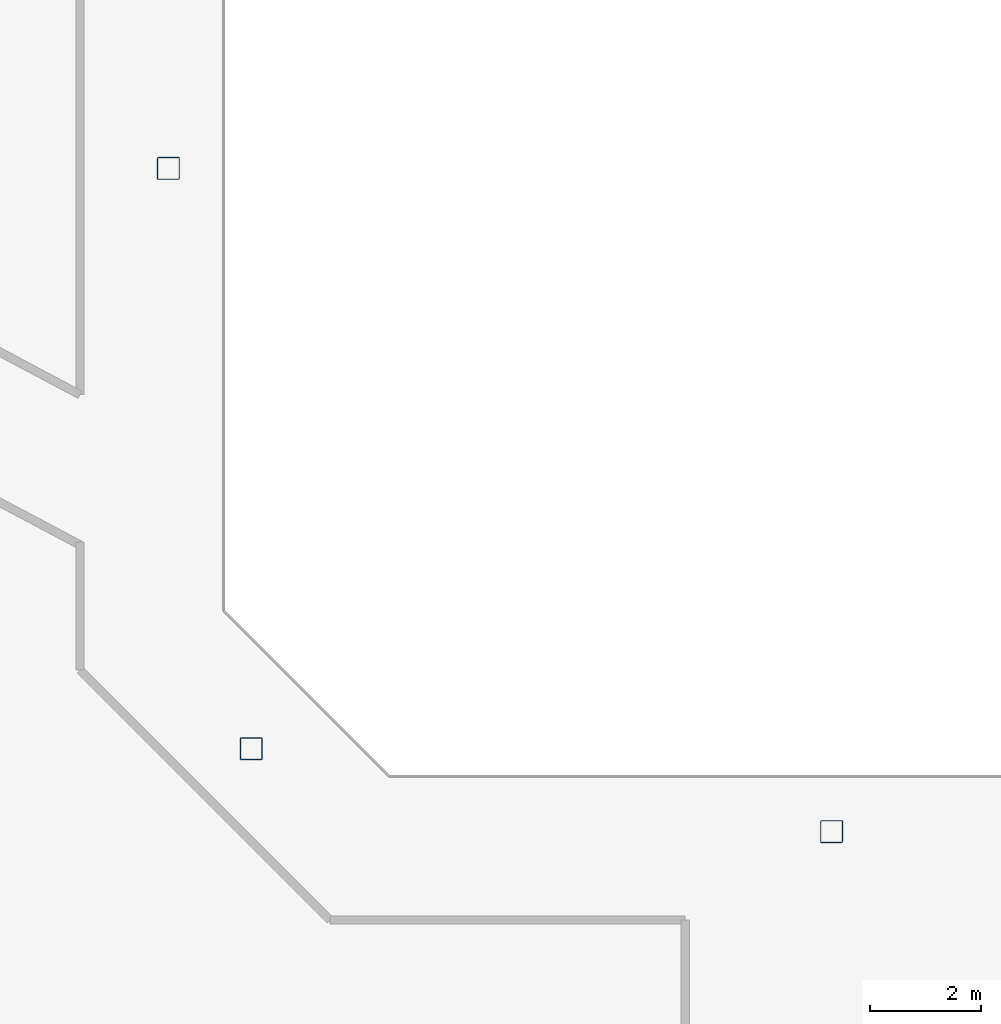
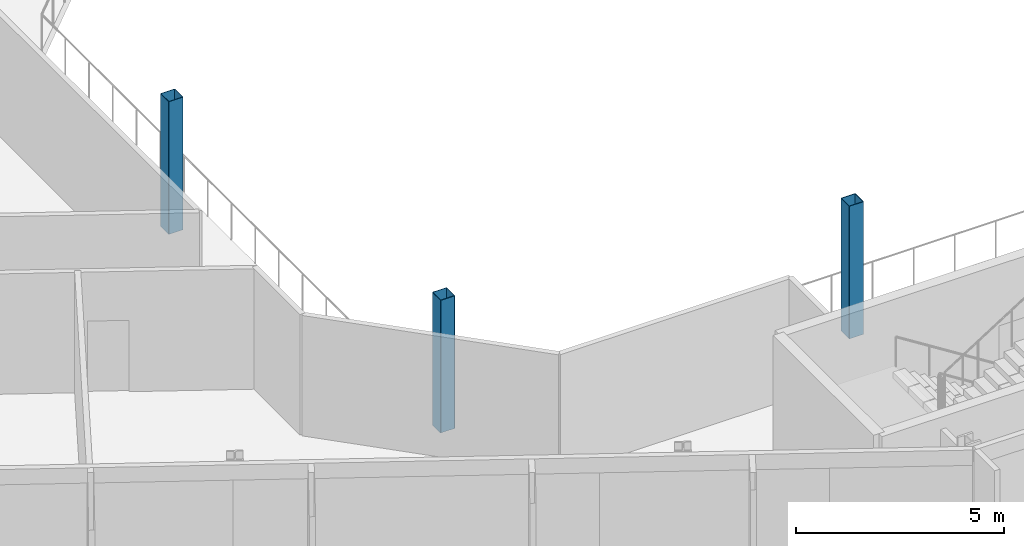
# One storey, part 2 of 26: 3 columns.
"""IFC4 building model written with IfcOpenShell, lengths in metres."""

from ifc_helpers import new_model, si_unit, direction, frame, origin, origin_2d, place, context, subcontext, project, spatial, hollow_rectangle, extrude, material, material_profile, profile_set, type_object, element, save


model = new_model("IFC4")

# Units and contexts
model_context = context("Model", 3, precision=1e-05, world=origin(), true_north=direction((0.0, 1.0)))
body_context = subcontext(model_context, "Body", "Model", "MODEL_VIEW")
ifc_project = project(units=[si_unit("LENGTHUNIT", "METRE"), si_unit("AREAUNIT", "SQUARE_METRE"), si_unit("VOLUMEUNIT", "CUBIC_METRE"), si_unit("PLANEANGLEUNIT", "RADIAN"), si_unit("MASSUNIT", "GRAM", prefix="KILO")], contexts=[model_context])

# Site, building, storey
site_placement = place(None, origin())
site = spatial("IfcSite", under=ifc_project, at=site_placement, CompositionType="ELEMENT")
building_placement = place(site_placement, origin())
building = spatial("IfcBuilding", under=site, at=building_placement, Name="Cormorant Relay Tower", CompositionType="ELEMENT")
storey_placement = place(building_placement, frame((0.0, 0.0, 236.39990234375)))
storey = spatial("IfcBuildingStorey", under=building, at=storey_placement, Name="L52", CompositionType="ELEMENT", Elevation=236.39990234375)

# Columns
ifc_material = material(Name="Steel ASTM A500 Grade C (Fy 345 MPa)", Category="steel")
ifc_material_profile = material_profile(ifc_material, hollow_rectangle(XDim=0.406494140625, YDim=0.406494140625, WallThickness=0.0146484375, InnerFilletRadius=0.00732421875, OuterFilletRadius=0.022216796875, at=origin_2d()), Name="HSS406x406x15")
ifc_profile_set = profile_set([ifc_material_profile], Name="Steel ASTM A500 Grade C (Fy 345 MPa)")
column_type = type_object("IfcColumnType", Name="Column HSS406x406x15", PredefinedType="COLUMN", material=ifc_profile_set)
for number, where, z_axis, x_axis, name in (
    (1, (0.0, -12.0, 0.0), (0.0, 0.0, 1.0), (1.0, 0.0, 0.0), "Column L52-007"),
    (2, (-10.5, -10.5, 0.0), (0.0, 0.0, 1.0), (1.0, 0.0, 0.0), "Column L52-009"),
    (3, (-12.0, 0.0, 0.0), (0.0, 0.0, 1.0), (1.0, 0.0, 0.0), "Column L52-015"),
):
    element("IfcColumn", number, at=place(storey_placement, frame(where, z_axis=z_axis, x_axis=x_axis)), inside=storey, type_object=column_type, Name=name, PredefinedType="COLUMN", context=body_context, shape_type="SweptSolid", body=[
        extrude(hollow_rectangle(XDim=0.406494140625, YDim=0.406494140625, WallThickness=0.0146484375, InnerFilletRadius=0.00732421875, OuterFilletRadius=0.022216796875, at=origin_2d()), origin(), (0.0, 0.0, 1.0), 3.900146484375),
    ])

save(model, "model.ifc")
